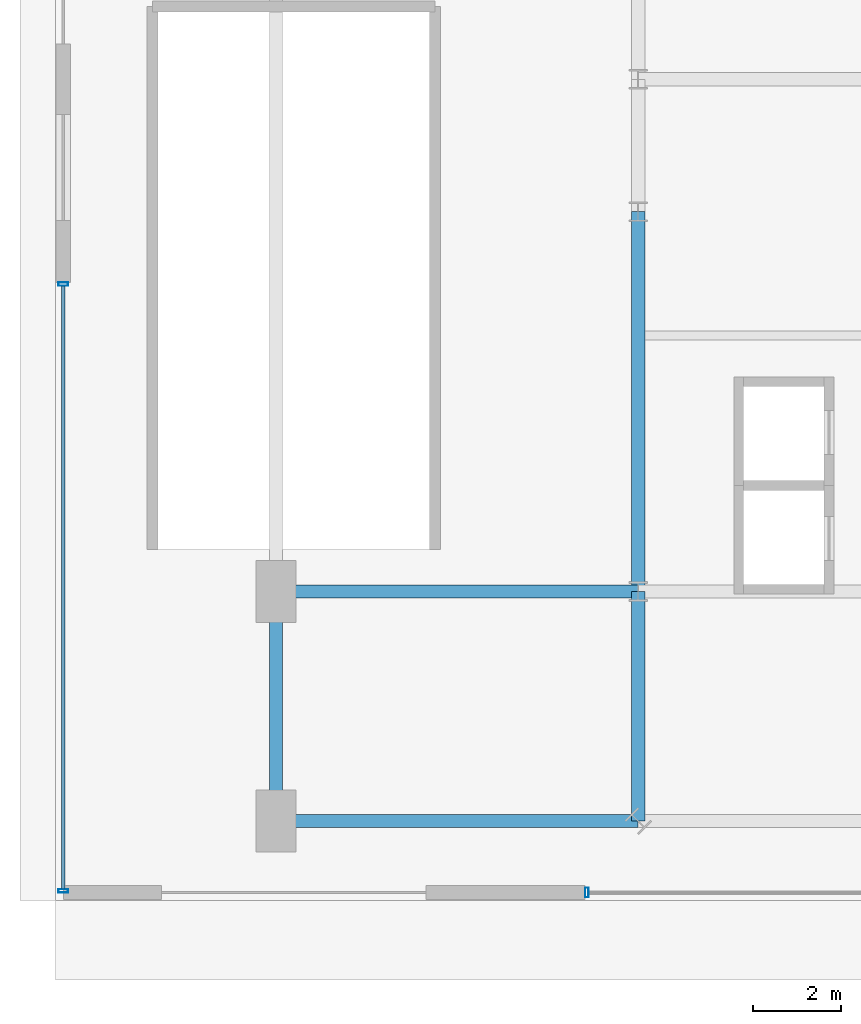
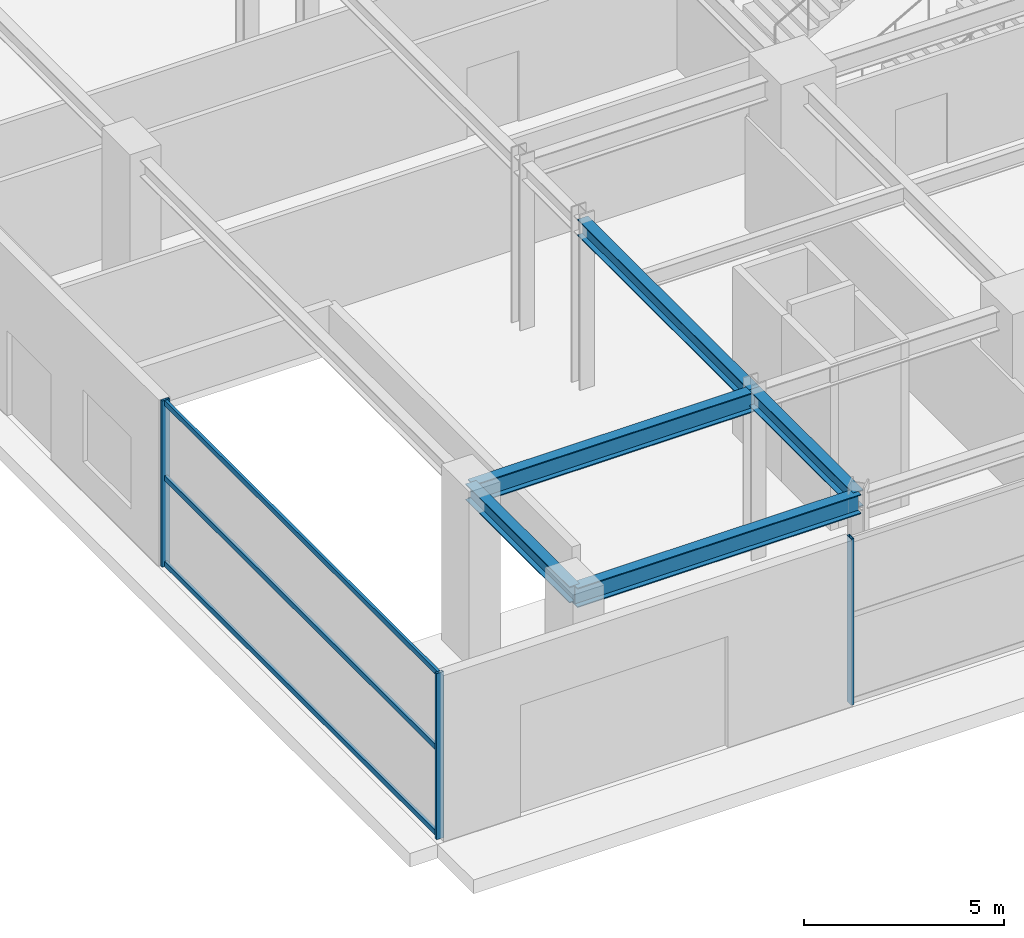
# One storey, part 4 of 29: 6 members, 5 beams, 2 elements without a shape of their own.
"""IFC4 building model written with IfcOpenShell, lengths in metres."""

from ifc_helpers import new_model, si_unit, direction, frame, origin, origin_2d, place, context, subcontext, project, spatial, hollow_rectangle, i_section, extrude, source, transform, mapped, material, material_profile, profile_set, type_object, element, aggregate, save


model = new_model("IFC4")

# Units and contexts
model_context = context("Model", 3, precision=1e-05, world=origin(), true_north=direction((0.0, 1.0)))
body_context = subcontext(model_context, "Body", "Model", "MODEL_VIEW")
ifc_project = project(units=[si_unit("LENGTHUNIT", "METRE"), si_unit("AREAUNIT", "SQUARE_METRE"), si_unit("VOLUMEUNIT", "CUBIC_METRE"), si_unit("PLANEANGLEUNIT", "RADIAN"), si_unit("MASSUNIT", "GRAM", prefix="KILO")], contexts=[model_context])

# Site, building, storey
site_placement = place(None, origin())
site = spatial("IfcSite", under=ifc_project, at=site_placement, CompositionType="ELEMENT")
building_placement = place(site_placement, origin())
building = spatial("IfcBuilding", under=site, at=building_placement, Name="Nahalor Promenade Grand Hotel", CompositionType="ELEMENT")
storey_placement = place(building_placement, origin())
storey = spatial("IfcBuildingStorey", under=building, at=storey_placement, Name="L00", CompositionType="ELEMENT", Elevation=0.0)

# Beams
ifc_material_1 = material(Name="Steel S355JR", Category="steel")
ifc_material_profile_1 = material_profile(ifc_material_1, i_section(OverallWidth=0.3, OverallDepth=0.6, WebThickness=0.0155, FlangeThickness=0.03, at=origin_2d()), Name="HEB 600")
ifc_profile_set_1 = profile_set([ifc_material_profile_1], Name="Steel S355JR")
beam_type_1 = type_object("IfcBeamType", Name="Beam-Girder-HEB600", PredefinedType="BEAM", material=ifc_profile_set_1)
shared_shape_1 = source(origin(), body_context, "Body", "SweptSolid", [
    extrude(i_section(OverallWidth=0.3, OverallDepth=0.6, WebThickness=0.0155, FlangeThickness=0.03, at=origin_2d()), origin(), (0.0, 0.0, 1.0), 8.199951171875),
])
for number, where, z_axis, x_axis, name in (
    (1, (-33.0, -17.0, 4.780029296875), (1.0, 0.0, 0.0), (0.0, 1.0, 0.0), "BM-L00-GX-0-0"),
    (2, (-24.800048828125, -22.199951171875, 4.780029296875), (-1.0, 0.0, 0.0), (0.0, -1.0, 0.0), "BM-L00-TIE-PW--22"),
):
    element("IfcBeam", number, at=place(storey_placement, frame(where, z_axis=z_axis, x_axis=x_axis)), inside=storey, type_object=beam_type_1, Name=name, PredefinedType="BEAM", context=body_context, shape_type="MappedRepresentation", body=[
        mapped(shared_shape_1, transform((0.0, 0.0, 0.0), scale=1.0)),
    ])
ifc_material_profile_2 = material_profile(ifc_material_1, i_section(OverallWidth=0.3, OverallDepth=0.5, WebThickness=0.0145, FlangeThickness=0.028, at=origin_2d()), Name="HEB 500")
ifc_profile_set_2 = profile_set([ifc_material_profile_2], Name="Steel S355JR")
beam_type_2 = type_object("IfcBeamType", Name="Beam-Spandrel-HEB500", PredefinedType="SPANDREL", material=ifc_profile_set_2)
shared_shape_2 = source(origin(), body_context, "Body", "SweptSolid", [
    extrude(i_section(OverallWidth=0.3, OverallDepth=0.5, WebThickness=0.0145, FlangeThickness=0.028, at=origin_2d()), origin(), (0.0, 0.0, 1.0), 8.60009765625),
])
beam_placement = place(storey_placement, frame((-24.800048828125, -17.0, 4.830078125), z_axis=(0.0, 1.0, 0.0), x_axis=(-1.0, 0.0, 0.0)))
element("IfcBeam", 3, at=beam_placement, inside=storey, type_object=beam_type_2, Name="BM-L00-SP-W-0", PredefinedType="SPANDREL", context=body_context, shape_type="MappedRepresentation", body=[
    mapped(shared_shape_2, transform((0.0, 0.0, 0.0), scale=1.0)),
])
shared_shape_3 = source(origin(), body_context, "Body", "SweptSolid", [
    extrude(i_section(OverallWidth=0.3, OverallDepth=0.5, WebThickness=0.0145, FlangeThickness=0.028, at=origin_2d()), origin(), (0.0, 0.0, 1.0), 5.199951171875),
])
for number, where, z_axis, x_axis, name in (
    (4, (-24.800048828125, -22.199951171875, 4.830078125), (0.0, 1.0, 0.0), (-1.0, 0.0, 0.0), "BM-L00-SPC-SW-2"),
    (5, (-33.0, -22.199951171875, 4.830078125), (0.0, 1.0, 0.0), (-1.0, 0.0, 0.0), "BM-L00-PW-0"),
):
    element("IfcBeam", number, at=place(storey_placement, frame(where, z_axis=z_axis, x_axis=x_axis)), inside=storey, type_object=beam_type_2, Name=name, PredefinedType="SPANDREL", context=body_context, shape_type="MappedRepresentation", body=[
        mapped(shared_shape_3, transform((0.0, 0.0, 0.0), scale=1.0)),
    ])

# Curtain wall, member
ifc_material_2 = material(Name="Anodised Bronze Aluminium EN AW-6063 T6", Category="aluminium")
curtain_wall_type = type_object("IfcCurtainWallType", Name="CW1 Waterfront Podium Bronze Arcade Curtain Wall", PredefinedType="USERDEFINED", material=ifc_material_2)
curtain_wall_1_placement = place(storey_placement, origin())
curtain_wall_1 = element("IfcCurtainWall", 6, at=curtain_wall_1_placement, inside=storey, type_object=curtain_wall_type, Name="L00 Curtain Wall CW-L00-S-MID", ObjectType="UNITISED_CURTAIN_WALL", PredefinedType="USERDEFINED")
ifc_material_profile_3 = material_profile(ifc_material_2, hollow_rectangle(XDim=0.08, YDim=0.22, WallThickness=0.005, at=origin_2d()), Name="CWM 80x220x5")
ifc_profile_set_3 = profile_set([ifc_material_profile_3], Name="Anodised Bronze Aluminium EN AW-6063 T6")
member_type_1 = type_object("IfcMemberType", Name="CWM1 Podium Bronze Mullion 80x220", PredefinedType="MULLION", material=ifc_profile_set_3)
shared_shape_4 = source(origin(), body_context, "Body", "SweptSolid", [
    extrude(hollow_rectangle(XDim=0.08, YDim=0.22, WallThickness=0.005, at=origin_2d()), origin(), (0.0, 0.0, 1.0), 5.080078125),
])
member_1_placement = place(storey_placement, frame((-25.9599609375, -23.820068359375, 0.0), z_axis=(0.0, 0.0, 1.0), x_axis=(1.0, 0.0, 0.0)))
member_1 = element("IfcMember", 7, at=member_1_placement, type_object=member_type_1, Name="CW-L00-S-MID Mullion 0", PredefinedType="MULLION", context=body_context, shape_type="MappedRepresentation", body=[
    mapped(shared_shape_4, transform((0.0, 0.0, 0.0), scale=1.0)),
])
aggregate(curtain_wall_1, [member_1])

# Curtain wall, members
curtain_wall_2_placement = place(storey_placement, origin())
curtain_wall_2 = element("IfcCurtainWall", 8, at=curtain_wall_2_placement, inside=storey, type_object=curtain_wall_type, Name="L00 Curtain Wall CW-L00-W-S", ObjectType="UNITISED_CURTAIN_WALL", PredefinedType="USERDEFINED")
member_2_placement = place(storey_placement, frame((-37.820068359375, -23.780029296875, 0.0), z_axis=(0.0, 0.0, 1.0), x_axis=(0.0, 1.0, 0.0)))
member_2 = element("IfcMember", 9, at=member_2_placement, type_object=member_type_1, Name="CW-L00-W-S Mullion 0", PredefinedType="MULLION", context=body_context, shape_type="MappedRepresentation", body=[
    mapped(shared_shape_4, transform((0.0, 0.0, 0.0), scale=1.0)),
])
member_3_placement = place(storey_placement, frame((-37.820068359375, -10.0400390625, 0.0), z_axis=(0.0, 0.0, 1.0), x_axis=(0.0, 1.0, 0.0)))
member_3 = element("IfcMember", 10, at=member_3_placement, type_object=member_type_1, Name="CW-L00-W-S Mullion 1", PredefinedType="MULLION", context=body_context, shape_type="MappedRepresentation", body=[
    mapped(shared_shape_4, transform((0.0, 0.0, 0.0), scale=1.0)),
])
ifc_material_profile_4 = material_profile(ifc_material_2, hollow_rectangle(XDim=0.08, YDim=0.16, WallThickness=0.004, at=origin_2d()), Name="CWT 80x160x4")
ifc_profile_set_4 = profile_set([ifc_material_profile_4], Name="Anodised Bronze Aluminium EN AW-6063 T6")
member_type_2 = type_object("IfcMemberType", Name="CWT1 Podium Bronze Transom 80x160", PredefinedType="USERDEFINED", material=ifc_profile_set_4)
shared_shape_5 = source(origin(), body_context, "Body", "SweptSolid", [
    extrude(hollow_rectangle(XDim=0.08, YDim=0.16, WallThickness=0.004, at=origin_2d()), origin(), (0.0, 0.0, 1.0), 13.659912109375),
])
member_4_placement = place(storey_placement, frame((-37.820068359375, -23.739990234375, 0.080078125), z_axis=(0.0, 1.0, 0.0), x_axis=(-1.0, 0.0, 0.0)))
member_4 = element("IfcMember", 11, at=member_4_placement, type_object=member_type_2, Name="CW-L00-W-S Transom 0-0", ObjectType="TRANSOM", PredefinedType="USERDEFINED", context=body_context, shape_type="MappedRepresentation", body=[
    mapped(shared_shape_5, transform((0.0, 0.0, 0.0), scale=1.0)),
])
member_5_placement = place(storey_placement, frame((-37.820068359375, -23.739990234375, 2.699951171875), z_axis=(0.0, 1.0, 0.0), x_axis=(-1.0, 0.0, 0.0)))
member_5 = element("IfcMember", 12, at=member_5_placement, type_object=member_type_2, Name="CW-L00-W-S Transom 0-1", ObjectType="TRANSOM", PredefinedType="USERDEFINED", context=body_context, shape_type="MappedRepresentation", body=[
    mapped(shared_shape_5, transform((0.0, 0.0, 0.0), scale=1.0)),
])
member_6_placement = place(storey_placement, frame((-37.820068359375, -23.739990234375, 5.0), z_axis=(0.0, 1.0, 0.0), x_axis=(-1.0, 0.0, 0.0)))
member_6 = element("IfcMember", 13, at=member_6_placement, type_object=member_type_2, Name="CW-L00-W-S Transom 0-2", ObjectType="TRANSOM", PredefinedType="USERDEFINED", context=body_context, shape_type="MappedRepresentation", body=[
    mapped(shared_shape_5, transform((0.0, 0.0, 0.0), scale=1.0)),
])
aggregate(curtain_wall_2, [member_2, member_3, member_4, member_5, member_6])

save(model, "model.ifc")
